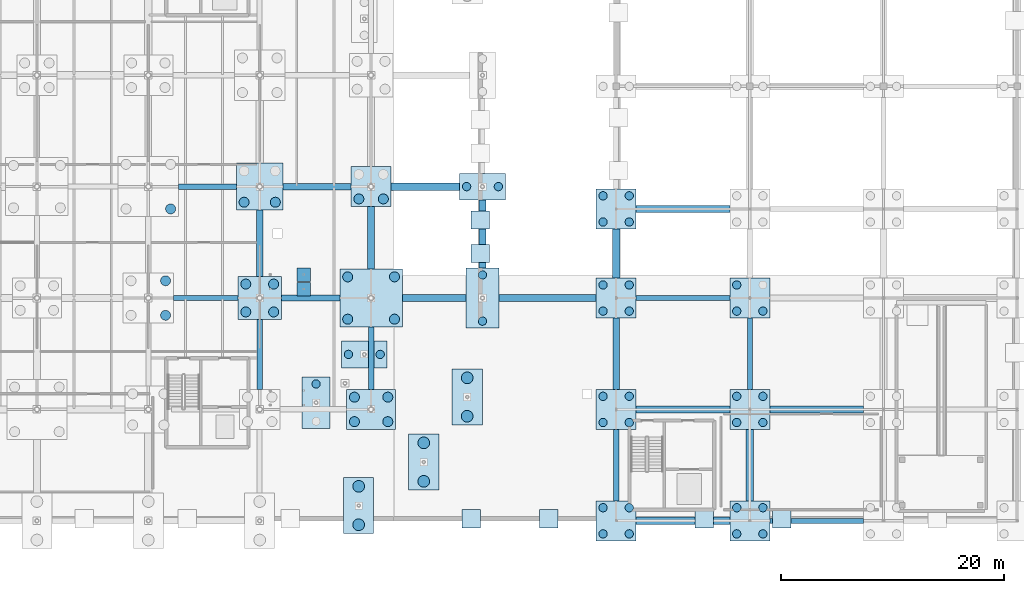
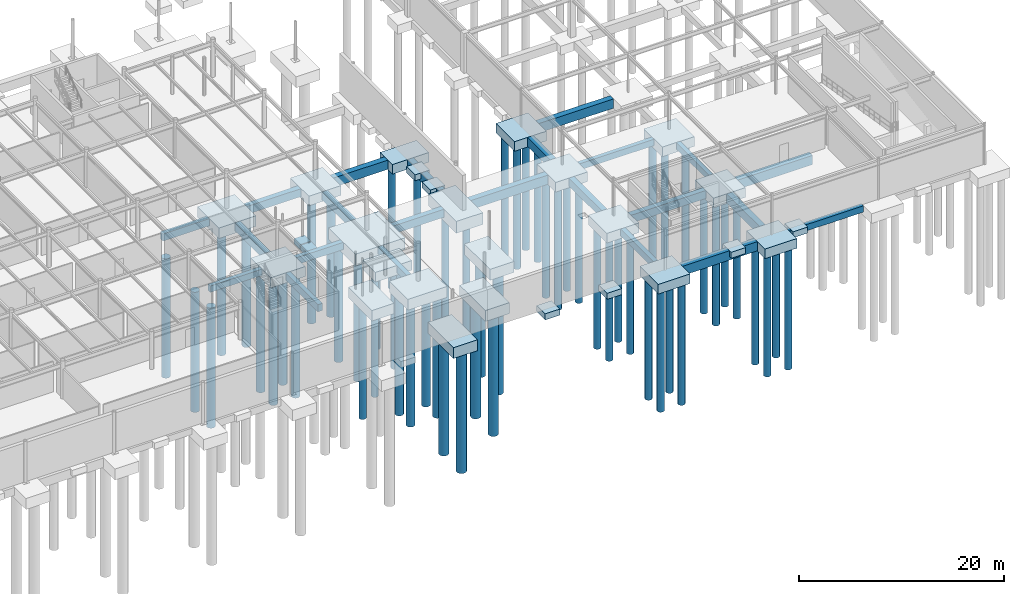
# One storey, part 8 of 75: 59 piles, 50 footings.
"""IFC4 building model written with IfcOpenShell, lengths in metres."""

from ifc_helpers import new_model, si_unit, derived_unit, direction, frame, origin, origin_2d_with_axis, place, context, subcontext, project, spatial, rectangle, circle, extrude, material, layer, layer_set, material_profile, profile_set, type_object, element, save


model = new_model("IFC4")

# Units and contexts
model_context = context("Model", 3, precision=1e-05, world=origin(), true_north=direction((0.0, 1.0)))
body_context = subcontext(model_context, "Body", "Model", "MODEL_VIEW")
ifc_project = project(units=[si_unit("LENGTHUNIT", "METRE"), si_unit("AREAUNIT", "SQUARE_METRE"), si_unit("VOLUMEUNIT", "CUBIC_METRE"), si_unit("PLANEANGLEUNIT", "RADIAN"), si_unit("MASSUNIT", "GRAM", prefix="KILO"), derived_unit("THERMALTRANSMITTANCEUNIT", [(si_unit("POWERUNIT", "WATT"), 1), (si_unit("LENGTHUNIT", "METRE"), -2), (si_unit("THERMODYNAMICTEMPERATUREUNIT", "KELVIN"), -1)])], contexts=[model_context])

# Site, building, storey
site_placement = place(None, origin())
site = spatial("IfcSite", under=ifc_project, at=site_placement, CompositionType="ELEMENT")
building_placement = place(site_placement, origin())
building = spatial("IfcBuilding", under=site, at=building_placement, Name="Cinnabar Yard Market Hall", CompositionType="ELEMENT")
storey_placement = place(building_placement, frame((0.0, 0.0, -4.5)))
storey = spatial("IfcBuildingStorey", under=building, at=storey_placement, Name="B1", CompositionType="ELEMENT", Elevation=-4.5)

# Footings
ifc_material = material(Name="Concrete 40 MPa", Category="concrete")
ifc_material_profile_1 = material_profile(ifc_material, rectangle(XDim=0.449951171875, YDim=0.75, at=origin_2d_with_axis()), Name="GB-450x750")
ifc_profile_set_1 = profile_set([ifc_material_profile_1], Name="Concrete 40 MPa")
footing_type_1 = type_object("IfcFootingType", Name="FT-GB01", PredefinedType="FOOTING_BEAM", material=ifc_profile_set_1)
footing_1_placement = place(storey_placement, frame((191.800048828125, 14.0, -0.824951171875), z_axis=(1.0, 0.0, 0.0), x_axis=(0.0, 1.0, 0.0)))
element("IfcFooting", 1, at=footing_1_placement, inside=storey, type_object=footing_type_1, Name="Ground Beam X 0008", PredefinedType="FOOTING_BEAM", context=body_context, shape_type="SweptSolid", body=[
    extrude(rectangle(XDim=0.449951171875, YDim=0.75, at=origin_2d_with_axis()), origin(), (0.0, 0.0, 1.0), 8.39990234375),
])
footing_2_placement = place(storey_placement, frame((138.25, 34.0, -0.824951171875), z_axis=(1.0, 0.0, 0.0), x_axis=(0.0, 1.0, 0.0)))
element("IfcFooting", 2, at=footing_2_placement, inside=storey, type_object=footing_type_1, Name="Ground Beam X 0028", PredefinedType="FOOTING_BEAM", context=body_context, shape_type="SweptSolid", body=[
    extrude(rectangle(XDim=0.449951171875, YDim=0.75, at=origin_2d_with_axis()), origin(), (0.0, 0.0, 1.0), 5.800048828125),
])
footing_3_placement = place(storey_placement, frame((179.800048828125, 34.0, -0.824951171875), z_axis=(1.0, 0.0, 0.0), x_axis=(0.0, 1.0, 0.0)))
element("IfcFooting", 3, at=footing_3_placement, inside=storey, type_object=footing_type_1, Name="Ground Beam X 0032", PredefinedType="FOOTING_BEAM", context=body_context, shape_type="SweptSolid", body=[
    extrude(rectangle(XDim=0.449951171875, YDim=0.75, at=origin_2d_with_axis()), origin(), (0.0, 0.0, 1.0), 8.39990234375),
])
footing_4_placement = place(storey_placement, frame((190.0, 25.800048828125, -0.824951171875), z_axis=(0.0, 1.0, 0.0), x_axis=(-1.0, 0.0, 0.0)))
element("IfcFooting", 4, at=footing_4_placement, inside=storey, type_object=footing_type_1, Name="Ground Beam Y 0272", PredefinedType="FOOTING_BEAM", context=body_context, shape_type="SweptSolid", body=[
    extrude(rectangle(XDim=0.449951171875, YDim=0.75, at=origin_2d_with_axis()), origin(), (0.0, 0.0, 1.0), 6.39990234375),
])
ifc_material_profile_2 = material_profile(ifc_material, rectangle(XDim=0.5, YDim=0.85009765625, at=origin_2d_with_axis()), Name="GB-500x850")
ifc_profile_set_2 = profile_set([ifc_material_profile_2], Name="Concrete 40 MPa")
footing_type_2 = type_object("IfcFootingType", Name="FT-GB02", PredefinedType="FOOTING_BEAM", material=ifc_profile_set_2)
footing_5_placement = place(storey_placement, frame((147.949951171875, 34.0, -0.875), z_axis=(1.0, 0.0, 0.0), x_axis=(0.0, 1.0, 0.0)))
element("IfcFooting", 5, at=footing_5_placement, inside=storey, type_object=footing_type_2, Name="Ground Beam X 0029", PredefinedType="FOOTING_BEAM", context=body_context, shape_type="SweptSolid", body=[
    extrude(rectangle(XDim=0.5, YDim=0.85009765625, at=origin_2d_with_axis()), origin(), (0.0, 0.0, 1.0), 5.25),
])
footing_6_placement = place(storey_placement, frame((138.699951171875, 44.0, -0.875), z_axis=(1.0, 0.0, 0.0), x_axis=(0.0, 1.0, 0.0)))
element("IfcFooting", 6, at=footing_6_placement, inside=storey, type_object=footing_type_2, Name="Ground Beam X 0045", PredefinedType="FOOTING_BEAM", context=body_context, shape_type="SweptSolid", body=[
    extrude(rectangle(XDim=0.5, YDim=0.85009765625, at=origin_2d_with_axis()), origin(), (0.0, 0.0, 1.0), 5.199951171875),
])
footing_7_placement = place(storey_placement, frame((146.0, 25.800048828125, -0.875), z_axis=(0.0, 1.0, 0.0), x_axis=(-1.0, 0.0, 0.0)))
element("IfcFooting", 7, at=footing_7_placement, inside=storey, type_object=footing_type_2, Name="Ground Beam Y 0245", PredefinedType="FOOTING_BEAM", context=body_context, shape_type="SweptSolid", body=[
    extrude(rectangle(XDim=0.5, YDim=0.85009765625, at=origin_2d_with_axis()), origin(), (0.0, 0.0, 1.0), 6.25),
])
footing_8_placement = place(storey_placement, frame((156.0, 25.800048828125, -0.875), z_axis=(0.0, 1.0, 0.0), x_axis=(-1.0, 0.0, 0.0)))
element("IfcFooting", 8, at=footing_8_placement, inside=storey, type_object=footing_type_2, Name="Ground Beam Y 0253", PredefinedType="FOOTING_BEAM", context=body_context, shape_type="SweptSolid", body=[
    extrude(rectangle(XDim=0.5, YDim=0.85009765625, at=origin_2d_with_axis()), origin(), (0.0, 0.0, 1.0), 5.599853515625),
])
footing_9_placement = place(storey_placement, frame((178.0, 15.800048828125, -0.875), z_axis=(0.0, 1.0, 0.0), x_axis=(-1.0, 0.0, 0.0)))
element("IfcFooting", 9, at=footing_9_placement, inside=storey, type_object=footing_type_2, Name="Ground Beam Y 0265", PredefinedType="FOOTING_BEAM", context=body_context, shape_type="SweptSolid", body=[
    extrude(rectangle(XDim=0.5, YDim=0.85009765625, at=origin_2d_with_axis()), origin(), (0.0, 0.0, 1.0), 6.39990234375),
])
ifc_material_profile_3 = material_profile(ifc_material, rectangle(XDim=0.60009765625, YDim=0.949951171875, at=origin_2d_with_axis()), Name="GB-600x950")
ifc_profile_set_3 = profile_set([ifc_material_profile_3], Name="Concrete 40 MPa")
footing_type_3 = type_object("IfcFootingType", Name="FT-GB03", PredefinedType="FOOTING_BEAM", material=ifc_profile_set_3)
footing_10_placement = place(storey_placement, frame((179.800048828125, 24.0, -0.925048828125), z_axis=(1.0, 0.0, 0.0), x_axis=(0.0, 1.0, 0.0)))
element("IfcFooting", 10, at=footing_10_placement, inside=storey, type_object=footing_type_3, Name="Ground Beam X 0018", PredefinedType="FOOTING_BEAM", context=body_context, shape_type="SweptSolid", body=[
    extrude(rectangle(XDim=0.60009765625, YDim=0.949951171875, at=origin_2d_with_axis()), origin(), (0.0, 0.0, 1.0), 8.39990234375),
])
footing_11_placement = place(storey_placement, frame((158.800048828125, 34.0, -0.925048828125), z_axis=(1.0, 0.0, 0.0), x_axis=(0.0, 1.0, 0.0)))
element("IfcFooting", 11, at=footing_11_placement, inside=storey, type_object=footing_type_3, Name="Ground Beam X 0030", PredefinedType="FOOTING_BEAM", context=body_context, shape_type="SweptSolid", body=[
    extrude(rectangle(XDim=0.60009765625, YDim=0.949951171875, at=origin_2d_with_axis()), origin(), (0.0, 0.0, 1.0), 5.699951171875),
])
footing_12_placement = place(storey_placement, frame((148.10009765625, 44.0, -0.925048828125), z_axis=(1.0, 0.0, 0.0), x_axis=(0.0, 1.0, 0.0)))
element("IfcFooting", 12, at=footing_12_placement, inside=storey, type_object=footing_type_3, Name="Ground Beam X 0046", PredefinedType="FOOTING_BEAM", context=body_context, shape_type="SweptSolid", body=[
    extrude(rectangle(XDim=0.60009765625, YDim=0.949951171875, at=origin_2d_with_axis()), origin(), (0.0, 0.0, 1.0), 6.099853515625),
])
footing_13_placement = place(storey_placement, frame((146.0, 35.949951171875, -0.925048828125), z_axis=(0.0, 1.0, 0.0), x_axis=(-1.0, 0.0, 0.0)))
element("IfcFooting", 13, at=footing_13_placement, inside=storey, type_object=footing_type_3, Name="Ground Beam Y 0246", PredefinedType="FOOTING_BEAM", context=body_context, shape_type="SweptSolid", body=[
    extrude(rectangle(XDim=0.60009765625, YDim=0.949951171875, at=origin_2d_with_axis()), origin(), (0.0, 0.0, 1.0), 5.949951171875),
])
footing_14_placement = place(storey_placement, frame((156.0, 36.60009765625, -0.925048828125), z_axis=(0.0, 1.0, 0.0), x_axis=(-1.0, 0.0, 0.0)))
element("IfcFooting", 14, at=footing_14_placement, inside=storey, type_object=footing_type_3, Name="Ground Beam Y 0254", PredefinedType="FOOTING_BEAM", context=body_context, shape_type="SweptSolid", body=[
    extrude(rectangle(XDim=0.60009765625, YDim=0.949951171875, at=origin_2d_with_axis()), origin(), (0.0, 0.0, 1.0), 5.599853515625),
])
footing_15_placement = place(storey_placement, frame((178.0, 25.800048828125, -0.925048828125), z_axis=(0.0, 1.0, 0.0), x_axis=(-1.0, 0.0, 0.0)))
element("IfcFooting", 15, at=footing_15_placement, inside=storey, type_object=footing_type_3, Name="Ground Beam Y 0266", PredefinedType="FOOTING_BEAM", context=body_context, shape_type="SweptSolid", body=[
    extrude(rectangle(XDim=0.60009765625, YDim=0.949951171875, at=origin_2d_with_axis()), origin(), (0.0, 0.0, 1.0), 6.39990234375),
])
ifc_material_profile_4 = material_profile(ifc_material, rectangle(XDim=0.64990234375, YDim=1.10009765625, at=origin_2d_with_axis()), Name="GB-650x1100")
ifc_profile_set_4 = profile_set([ifc_material_profile_4], Name="Concrete 40 MPa")
footing_type_4 = type_object("IfcFootingType", Name="FT-GB04", PredefinedType="FOOTING_BEAM", material=ifc_profile_set_4)
for number, where, z_axis, x_axis, name in (
    (16, (179.800048828125, 14.0, -1.0), (1.0, 0.0, 0.0), (0.0, 1.0, 0.0), "Ground Beam X 0007"),
    (17, (191.800048828125, 24.0, -1.0), (1.0, 0.0, 0.0), (0.0, 1.0, 0.0), "Ground Beam X 0019"),
):
    element("IfcFooting", number, at=place(storey_placement, frame(where, z_axis=z_axis, x_axis=x_axis)), inside=storey, type_object=footing_type_4, Name=name, PredefinedType="FOOTING_BEAM", context=body_context, shape_type="SweptSolid", body=[
        extrude(rectangle(XDim=0.64990234375, YDim=1.10009765625, at=origin_2d_with_axis()), origin(), (0.0, 0.0, 1.0), 8.39990234375),
    ])
footing_16_placement = place(storey_placement, frame((167.5, 34.0, -1.0), z_axis=(1.0, 0.0, 0.0), x_axis=(0.0, 1.0, 0.0)))
element("IfcFooting", 18, at=footing_16_placement, inside=storey, type_object=footing_type_4, Name="Ground Beam X 0031", PredefinedType="FOOTING_BEAM", context=body_context, shape_type="SweptSolid", body=[
    extrude(rectangle(XDim=0.64990234375, YDim=1.10009765625, at=origin_2d_with_axis()), origin(), (0.0, 0.0, 1.0), 8.699951171875),
])
footing_17_placement = place(storey_placement, frame((179.800048828125, 42.0, -1.0), z_axis=(1.0, 0.0, 0.0), x_axis=(0.0, 1.0, 0.0)))
element("IfcFooting", 19, at=footing_17_placement, inside=storey, type_object=footing_type_4, Name="Ground Beam X 0035", PredefinedType="FOOTING_BEAM", context=body_context, shape_type="SweptSolid", body=[
    extrude(rectangle(XDim=0.64990234375, YDim=1.10009765625, at=origin_2d_with_axis()), origin(), (0.0, 0.0, 1.0), 8.39990234375),
])
footing_18_placement = place(storey_placement, frame((157.800048828125, 44.0, -1.0), z_axis=(1.0, 0.0, 0.0), x_axis=(0.0, 1.0, 0.0)))
element("IfcFooting", 20, at=footing_18_placement, inside=storey, type_object=footing_type_4, Name="Ground Beam X 0047", PredefinedType="FOOTING_BEAM", context=body_context, shape_type="SweptSolid", body=[
    extrude(rectangle(XDim=0.64990234375, YDim=1.10009765625, at=origin_2d_with_axis()), origin(), (0.0, 0.0, 1.0), 6.14990234375),
])
footing_19_placement = place(storey_placement, frame((166.0, 36.699951171875, -1.0), z_axis=(0.0, 1.0, 0.0), x_axis=(-1.0, 0.0, 0.0)))
element("IfcFooting", 21, at=footing_19_placement, inside=storey, type_object=footing_type_4, Name="Ground Beam Y 0263", PredefinedType="FOOTING_BEAM", context=body_context, shape_type="SweptSolid", body=[
    extrude(rectangle(XDim=0.64990234375, YDim=1.10009765625, at=origin_2d_with_axis()), origin(), (0.0, 0.0, 1.0), 6.10009765625),
])
footing_20_placement = place(storey_placement, frame((178.0, 35.800048828125, -1.0), z_axis=(0.0, 1.0, 0.0), x_axis=(-1.0, 0.0, 0.0)))
element("IfcFooting", 22, at=footing_20_placement, inside=storey, type_object=footing_type_4, Name="Ground Beam Y 0267", PredefinedType="FOOTING_BEAM", context=body_context, shape_type="SweptSolid", body=[
    extrude(rectangle(XDim=0.64990234375, YDim=1.10009765625, at=origin_2d_with_axis()), origin(), (0.0, 0.0, 1.0), 4.39990234375),
])
footing_21_placement = place(storey_placement, frame((190.0, 15.800048828125, -1.0), z_axis=(0.0, 1.0, 0.0), x_axis=(-1.0, 0.0, 0.0)))
element("IfcFooting", 23, at=footing_21_placement, inside=storey, type_object=footing_type_4, Name="Ground Beam Y 0271", PredefinedType="FOOTING_BEAM", context=body_context, shape_type="SweptSolid", body=[
    extrude(rectangle(XDim=0.64990234375, YDim=1.10009765625, at=origin_2d_with_axis()), origin(), (0.0, 0.0, 1.0), 6.39990234375),
])
ifc_layer_1 = layer(ifc_material, 1.14990234375)
ifc_layer_set_1 = layer_set([ifc_layer_1], Name="Concrete 40 MPa")
footing_type_5 = type_object("IfcFootingType", Name="FT-PC03", PredefinedType="PILE_CAP", material=ifc_layer_set_1)
for number, where, z_axis, x_axis, name in (
    (24, (156.0, 44.0, -1.599853515625), (0.0, 0.0, 1.0), (1.0, 0.0, 0.0), "Pile Cap V1I-09-03"),
    (25, (178.0, 14.0, -1.599853515625), (0.0, 0.0, 1.0), (1.0, 0.0, 0.0), "Pile Cap V4-01-01"),
    (26, (178.0, 24.0, -1.599853515625), (0.0, 0.0, 1.0), (1.0, 0.0, 0.0), "Pile Cap V4-01-02"),
    (27, (178.0, 34.0, -1.599853515625), (0.0, 0.0, 1.0), (1.0, 0.0, 0.0), "Pile Cap V4-01-03"),
    (28, (178.0, 42.0, -1.599853515625), (0.0, 0.0, 1.0), (1.0, 0.0, 0.0), "Pile Cap V4-01-04"),
    (29, (190.0, 14.0, -1.599853515625), (0.0, 0.0, 1.0), (1.0, 0.0, 0.0), "Pile Cap V4-02-01"),
    (30, (190.0, 24.0, -1.599853515625), (0.0, 0.0, 1.0), (1.0, 0.0, 0.0), "Pile Cap V4-02-02"),
    (31, (190.0, 34.0, -1.599853515625), (0.0, 0.0, 1.0), (1.0, 0.0, 0.0), "Pile Cap V4-02-03"),
):
    element("IfcFooting", number, at=place(storey_placement, frame(where, z_axis=z_axis, x_axis=x_axis)), inside=storey, type_object=footing_type_5, Name=name, PredefinedType="PILE_CAP", context=body_context, shape_type="SweptSolid", body=[
        extrude(rectangle(XDim=3.60009765625, YDim=3.60009765625, at=origin_2d_with_axis()), origin(), (0.0, 0.0, 1.0), 1.14990234375),
    ])
ifc_layer_2 = layer(ifc_material, 1.199951171875)
ifc_layer_set_2 = layer_set([ifc_layer_2], Name="Concrete 40 MPa")
footing_type_6 = type_object("IfcFootingType", Name="FT-PC04", PredefinedType="PILE_CAP", material=ifc_layer_set_2)
footing_22_placement = place(storey_placement, frame((146.0, 34.0, -1.64990234375), z_axis=(0.0, 0.0, 1.0), x_axis=(1.0, 0.0, 0.0)))
element("IfcFooting", 32, at=footing_22_placement, inside=storey, type_object=footing_type_6, Name="Pile Cap V1I-08-02", PredefinedType="PILE_CAP", context=body_context, shape_type="SweptSolid", body=[
    extrude(rectangle(XDim=3.89990234375, YDim=3.89990234375, at=origin_2d_with_axis()), origin(), (0.0, 0.0, 1.0), 1.199951171875),
])
ifc_layer_3 = layer(ifc_material, 1.25)
ifc_layer_set_3 = layer_set([ifc_layer_3], Name="Concrete 40 MPa")
footing_type_7 = type_object("IfcFootingType", Name="FT-PC05", PredefinedType="PILE_CAP", material=ifc_layer_set_3)
footing_23_placement = place(storey_placement, frame((146.0, 44.0, -1.699951171875), z_axis=(0.0, 0.0, 1.0), x_axis=(1.0, 0.0, 0.0)))
element("IfcFooting", 33, at=footing_23_placement, inside=storey, type_object=footing_type_7, Name="Pile Cap V1I-08-03", PredefinedType="PILE_CAP", context=body_context, shape_type="SweptSolid", body=[
    extrude(rectangle(XDim=4.199951171875, YDim=4.199951171875, at=origin_2d_with_axis()), origin(), (0.0, 0.0, 1.0), 1.25),
])
ifc_layer_4 = layer(ifc_material, 1.25)
ifc_layer_set_4 = layer_set([ifc_layer_4], Name="Concrete 40 MPa")
footing_type_8 = type_object("IfcFootingType", Name="FT-PC09", PredefinedType="PILE_CAP", material=ifc_layer_set_4)
footing_24_placement = place(storey_placement, frame((151.0615234375, 24.60888671875, -1.699951171875), z_axis=(0.0, 0.0, 1.0), x_axis=(1.0, 0.0, 0.0)))
element("IfcFooting", 34, at=footing_24_placement, inside=storey, type_object=footing_type_8, Name="Pile Cap V1IC-SE2", PredefinedType="PILE_CAP", context=body_context, shape_type="SweptSolid", body=[
    extrude(rectangle(XDim=2.5, YDim=4.60009765625, at=origin_2d_with_axis()), origin(), (0.0, 0.0, 1.0), 1.25),
])
ifc_layer_5 = layer(ifc_material, 1.300048828125)
ifc_layer_set_5 = layer_set([ifc_layer_5], Name="Concrete 40 MPa")
footing_type_9 = type_object("IfcFootingType", Name="FT-PC10", PredefinedType="PILE_CAP", material=ifc_layer_set_5)
for number, where, z_axis, x_axis, name in (
    (35, (154.88818359375, 15.3701171875, -1.75), (0.0, 0.0, 1.0), (1.0, 0.0, 0.0), "Pile Cap V1C-SE2"),
    (36, (160.727783203125, 19.272216796875, -1.75), (0.0, 0.0, 1.0), (1.0, 0.0, 0.0), "Pile Cap V1C-SE4"),
    (37, (164.6298828125, 25.11181640625, -1.75), (0.0, 0.0, 1.0), (1.0, 0.0, 0.0), "Pile Cap V1C-SE6"),
):
    element("IfcFooting", number, at=place(storey_placement, frame(where, z_axis=z_axis, x_axis=x_axis)), inside=storey, type_object=footing_type_9, Name=name, PredefinedType="PILE_CAP", context=body_context, shape_type="SweptSolid", body=[
        extrude(rectangle(XDim=2.699951171875, YDim=5.0, at=origin_2d_with_axis()), origin(), (0.0, 0.0, 1.0), 1.300048828125),
    ])
ifc_layer_6 = layer(ifc_material, 1.39990234375)
ifc_layer_set_6 = layer_set([ifc_layer_6], Name="Concrete 40 MPa")
footing_type_10 = type_object("IfcFootingType", Name="FT-PC11", PredefinedType="PILE_CAP", material=ifc_layer_set_6)
footing_25_placement = place(storey_placement, frame((166.0, 34.0, -1.849853515625), z_axis=(0.0, 0.0, 1.0), x_axis=(1.0, 0.0, 0.0)))
element("IfcFooting", 38, at=footing_25_placement, inside=storey, type_object=footing_type_10, Name="Pile Cap V1E-01", PredefinedType="PILE_CAP", context=body_context, shape_type="SweptSolid", body=[
    extrude(rectangle(XDim=3.0, YDim=5.39990234375, at=origin_2d_with_axis()), origin(), (0.0, 0.0, 1.0), 1.39990234375),
])
ifc_layer_7 = layer(ifc_material, 1.14990234375)
ifc_layer_set_7 = layer_set([ifc_layer_7], Name="Concrete 40 MPa")
footing_type_11 = type_object("IfcFootingType", Name="FT-PC14", PredefinedType="PILE_CAP", material=ifc_layer_set_7)
for number, where, z_axis, x_axis, name in (
    (39, (166.0, 44.0, -1.599853515625), (0.0, 0.0, 1.0), (1.0, 0.0, 0.0), "Pile Cap V1E-02"),
    (40, (155.39111328125, 28.9384765625, -1.599853515625), (0.0, 0.0, 1.0), (1.0, 0.0, 0.0), "Pile Cap V1IC-SE6"),
):
    element("IfcFooting", number, at=place(storey_placement, frame(where, z_axis=z_axis, x_axis=x_axis)), inside=storey, type_object=footing_type_11, Name=name, PredefinedType="PILE_CAP", context=body_context, shape_type="SweptSolid", body=[
        extrude(rectangle(XDim=4.10009765625, YDim=2.39990234375, at=origin_2d_with_axis()), origin(), (0.0, 0.0, 1.0), 1.14990234375),
    ])
ifc_layer_8 = layer(ifc_material, 1.300048828125)
ifc_layer_set_8 = layer_set([ifc_layer_8], Name="Concrete 40 MPa")
footing_type_12 = type_object("IfcFootingType", Name="FT-PC15", PredefinedType="PILE_CAP", material=ifc_layer_set_8)
footing_26_placement = place(storey_placement, frame((156.0, 24.0, -1.75), z_axis=(0.0, 0.0, 1.0), x_axis=(1.0, 0.0, 0.0)))
element("IfcFooting", 41, at=footing_26_placement, inside=storey, type_object=footing_type_12, Name="Pile Cap V1I-09-01", PredefinedType="PILE_CAP", context=body_context, shape_type="SweptSolid", body=[
    extrude(rectangle(XDim=4.39990234375, YDim=3.60009765625, at=origin_2d_with_axis()), origin(), (0.0, 0.0, 1.0), 1.300048828125),
])
ifc_layer_9 = layer(ifc_material, 1.39990234375)
ifc_layer_set_9 = layer_set([ifc_layer_9], Name="Concrete 40 MPa")
footing_type_13 = type_object("IfcFootingType", Name="FT-PC16", PredefinedType="PILE_CAP", material=ifc_layer_set_9)
footing_27_placement = place(storey_placement, frame((156.0, 34.0, -1.849853515625), z_axis=(0.0, 0.0, 1.0), x_axis=(1.0, 0.0, 0.0)))
element("IfcFooting", 42, at=footing_27_placement, inside=storey, type_object=footing_type_13, Name="Pile Cap V1I-09-02", PredefinedType="PILE_CAP", context=body_context, shape_type="SweptSolid", body=[
    extrude(rectangle(XDim=5.60009765625, YDim=5.199951171875, at=origin_2d_with_axis()), origin(), (0.0, 0.0, 1.0), 1.39990234375),
])
ifc_layer_10 = layer(ifc_material, 0.719970703125)
ifc_layer_set_10 = layer_set([ifc_layer_10], Name="Concrete 40 MPa")
footing_type_14 = type_object("IfcFootingType", Name="FT-PF02", PredefinedType="PAD_FOOTING", material=ifc_layer_set_10)
for number, where, z_axis, x_axis, name in (
    (43, (165.800048828125, 38.0, -1.169921875), (0.0, 0.0, 1.0), (1.0, 0.0, 0.0), "Wall Pad B1-RET-V1E-2"),
    (44, (165.800048828125, 41.0, -1.169921875), (0.0, 0.0, 1.0), (1.0, 0.0, 0.0), "Wall Pad B1-RET-V1E-3"),
    (45, (164.97509765625, 14.199951171875, -1.169921875), (0.0, 0.0, 1.0), (1.0, 0.0, 0.0), "Wall Pad B1-RET-V4S-1"),
    (46, (171.949951171875, 14.199951171875, -1.169921875), (0.0, 0.0, 1.0), (1.0, 0.0, 0.0), "Wall Pad B1-RET-V4S-2"),
    (47, (185.89990234375, 14.199951171875, -1.169921875), (0.0, 0.0, 1.0), (1.0, 0.0, 0.0), "Wall Pad B1-RET-V4S-4"),
    (48, (192.875, 14.199951171875, -1.169921875), (0.0, 0.0, 1.0), (1.0, 0.0, 0.0), "Wall Pad B1-RET-V4S-5"),
):
    element("IfcFooting", number, at=place(storey_placement, frame(where, z_axis=z_axis, x_axis=x_axis)), inside=storey, type_object=footing_type_14, Name=name, PredefinedType="PAD_FOOTING", context=body_context, shape_type="SweptSolid", body=[
        extrude(rectangle(XDim=1.64990234375, YDim=1.64990234375, at=origin_2d_with_axis()), origin(), (0.0, 0.0, 1.0), 0.719970703125),
    ])
ifc_layer_11 = layer(ifc_material, 0.60009765625)
ifc_layer_set_11 = layer_set([ifc_layer_11], Name="Concrete 40 MPa")
footing_type_15 = type_object("IfcFootingType", Name="FT-PF08", PredefinedType="PAD_FOOTING", material=ifc_layer_set_11)
for number, where, z_axis, x_axis, name in (
    (49, (149.949951171875, 34.800048828125, -1.050048828125), (0.0, 0.0, 1.0), (1.0, 0.0, 0.0), "Feature Stair Pad ST-F2-2"),
    (50, (149.949951171875, 36.10009765625, -1.050048828125), (0.0, 0.0, 1.0), (1.0, 0.0, 0.0), "Feature Stair Pad ST-F2-4"),
):
    element("IfcFooting", number, at=place(storey_placement, frame(where, z_axis=z_axis, x_axis=x_axis)), inside=storey, type_object=footing_type_15, Name=name, PredefinedType="PAD_FOOTING", context=body_context, shape_type="SweptSolid", body=[
        extrude(rectangle(XDim=1.199951171875, YDim=1.199951171875, at=origin_2d_with_axis()), origin(), (0.0, 0.0, 1.0), 0.60009765625),
    ])

# Piles
ifc_material_profile_5 = material_profile(ifc_material, circle(Radius=0.52490234375, at=origin_2d_with_axis()), Name="PILE-D1050")
ifc_profile_set_5 = profile_set([ifc_material_profile_5], Name="Concrete 40 MPa")
pile_type_1 = type_object("IfcPileType", Name="PILE-PL1050", PredefinedType="BORED", material=ifc_profile_set_5)
for number, where, z_axis, x_axis, name in (
    (51, (154.88818359375, 13.645263671875, -1.64990234375), (0.0, 0.0, -1.0), (1.0, 0.0, 0.0), "Bored Pile 0231"),
    (52, (154.88818359375, 17.09521484375, -1.64990234375), (0.0, 0.0, -1.0), (1.0, 0.0, 0.0), "Bored Pile 0232"),
    (53, (160.727783203125, 17.547119140625, -1.64990234375), (0.0, 0.0, -1.0), (1.0, 0.0, 0.0), "Bored Pile 0235"),
    (54, (160.727783203125, 20.9970703125, -1.64990234375), (0.0, 0.0, -1.0), (1.0, 0.0, 0.0), "Bored Pile 0236"),
    (55, (164.6298828125, 23.38671875, -1.64990234375), (0.0, 0.0, -1.0), (1.0, 0.0, 0.0), "Bored Pile 0237"),
    (56, (164.6298828125, 26.836669921875, -1.64990234375), (0.0, 0.0, -1.0), (1.0, 0.0, 0.0), "Bored Pile 0238"),
):
    element("IfcPile", number, at=place(storey_placement, frame(where, z_axis=z_axis, x_axis=x_axis)), inside=storey, type_object=pile_type_1, Name=name, PredefinedType="BORED", context=body_context, shape_type="SweptSolid", body=[
        extrude(circle(Radius=0.52490234375, at=origin_2d_with_axis()), origin(), (0.0, 0.0, 1.0), 14.35009765625),
    ])
ifc_material_profile_6 = material_profile(ifc_material, circle(Radius=0.375, at=origin_2d_with_axis()), Name="PILE-D750")
ifc_profile_set_6 = profile_set([ifc_material_profile_6], Name="Concrete 40 MPa")
pile_type_2 = type_object("IfcPileType", Name="PILE-PL750", PredefinedType="BORED", material=ifc_profile_set_6)
for number, where, z_axis, x_axis, name in (
    (57, (166.0, 31.925048828125, -1.75), (0.0, 0.0, -1.0), (1.0, 0.0, 0.0), "Bored Pile 0211"),
    (58, (166.0, 36.074951171875, -1.75), (0.0, 0.0, -1.0), (1.0, 0.0, 0.0), "Bored Pile 0212"),
):
    element("IfcPile", number, at=place(storey_placement, frame(where, z_axis=z_axis, x_axis=x_axis)), inside=storey, type_object=pile_type_2, Name=name, PredefinedType="BORED", context=body_context, shape_type="SweptSolid", body=[
        extrude(circle(Radius=0.375, at=origin_2d_with_axis()), origin(), (0.0, 0.0, 1.0), 14.25),
    ])
for number, where, z_axis, x_axis, name in (
    (59, (164.574951171875, 44.0, -1.5), (0.0, 0.0, -1.0), (1.0, 0.0, 0.0), "Bored Pile 0215"),
    (60, (167.425048828125, 44.0, -1.5), (0.0, 0.0, -1.0), (1.0, 0.0, 0.0), "Bored Pile 0216"),
):
    element("IfcPile", number, at=place(storey_placement, frame(where, z_axis=z_axis, x_axis=x_axis)), inside=storey, type_object=pile_type_2, Name=name, PredefinedType="BORED", context=body_context, shape_type="SweptSolid", body=[
        extrude(circle(Radius=0.375, at=origin_2d_with_axis()), origin(), (0.0, 0.0, 1.0), 14.5),
    ])
pile_1_placement = place(storey_placement, frame((151.0615234375, 26.283935546875, -1.60009765625), z_axis=(0.0, 0.0, -1.0), x_axis=(1.0, 0.0, 0.0)))
element("IfcPile", 61, at=pile_1_placement, inside=storey, type_object=pile_type_2, Name="Bored Pile 0234", PredefinedType="BORED", context=body_context, shape_type="SweptSolid", body=[
    extrude(circle(Radius=0.375, at=origin_2d_with_axis()), origin(), (0.0, 0.0, 1.0), 14.39990234375),
])
for number, where, z_axis, x_axis, name in (
    (62, (153.966064453125, 28.9384765625, -1.5), (0.0, 0.0, -1.0), (1.0, 0.0, 0.0), "Bored Pile 0239"),
    (63, (156.81591796875, 28.9384765625, -1.5), (0.0, 0.0, -1.0), (1.0, 0.0, 0.0), "Bored Pile 0240"),
    (64, (176.824951171875, 12.824951171875, -1.5), (0.0, 0.0, -1.0), (1.0, 0.0, 0.0), "Bored Pile 0505"),
    (65, (179.175048828125, 12.824951171875, -1.5), (0.0, 0.0, -1.0), (1.0, 0.0, 0.0), "Bored Pile 0506"),
    (66, (176.824951171875, 15.175048828125, -1.5), (0.0, 0.0, -1.0), (1.0, 0.0, 0.0), "Bored Pile 0507"),
    (67, (179.175048828125, 15.175048828125, -1.5), (0.0, 0.0, -1.0), (1.0, 0.0, 0.0), "Bored Pile 0508"),
    (68, (176.824951171875, 22.824951171875, -1.5), (0.0, 0.0, -1.0), (1.0, 0.0, 0.0), "Bored Pile 0509"),
    (69, (179.175048828125, 22.824951171875, -1.5), (0.0, 0.0, -1.0), (1.0, 0.0, 0.0), "Bored Pile 0510"),
    (70, (176.824951171875, 25.175048828125, -1.5), (0.0, 0.0, -1.0), (1.0, 0.0, 0.0), "Bored Pile 0511"),
    (71, (179.175048828125, 25.175048828125, -1.5), (0.0, 0.0, -1.0), (1.0, 0.0, 0.0), "Bored Pile 0512"),
    (72, (176.824951171875, 32.824951171875, -1.5), (0.0, 0.0, -1.0), (1.0, 0.0, 0.0), "Bored Pile 0513"),
    (73, (179.175048828125, 32.824951171875, -1.5), (0.0, 0.0, -1.0), (1.0, 0.0, 0.0), "Bored Pile 0514"),
    (74, (176.824951171875, 35.175048828125, -1.5), (0.0, 0.0, -1.0), (1.0, 0.0, 0.0), "Bored Pile 0515"),
    (75, (179.175048828125, 35.175048828125, -1.5), (0.0, 0.0, -1.0), (1.0, 0.0, 0.0), "Bored Pile 0516"),
    (76, (176.824951171875, 40.824951171875, -1.5), (0.0, 0.0, -1.0), (1.0, 0.0, 0.0), "Bored Pile 0517"),
    (77, (179.175048828125, 40.824951171875, -1.5), (0.0, 0.0, -1.0), (1.0, 0.0, 0.0), "Bored Pile 0518"),
    (78, (176.824951171875, 43.175048828125, -1.5), (0.0, 0.0, -1.0), (1.0, 0.0, 0.0), "Bored Pile 0519"),
    (79, (179.175048828125, 43.175048828125, -1.5), (0.0, 0.0, -1.0), (1.0, 0.0, 0.0), "Bored Pile 0520"),
    (80, (188.824951171875, 12.824951171875, -1.5), (0.0, 0.0, -1.0), (1.0, 0.0, 0.0), "Bored Pile 0521"),
    (81, (191.175048828125, 12.824951171875, -1.5), (0.0, 0.0, -1.0), (1.0, 0.0, 0.0), "Bored Pile 0522"),
    (82, (188.824951171875, 15.175048828125, -1.5), (0.0, 0.0, -1.0), (1.0, 0.0, 0.0), "Bored Pile 0523"),
    (83, (191.175048828125, 15.175048828125, -1.5), (0.0, 0.0, -1.0), (1.0, 0.0, 0.0), "Bored Pile 0524"),
    (84, (188.824951171875, 22.824951171875, -1.5), (0.0, 0.0, -1.0), (1.0, 0.0, 0.0), "Bored Pile 0525"),
    (85, (191.175048828125, 22.824951171875, -1.5), (0.0, 0.0, -1.0), (1.0, 0.0, 0.0), "Bored Pile 0526"),
    (86, (188.824951171875, 25.175048828125, -1.5), (0.0, 0.0, -1.0), (1.0, 0.0, 0.0), "Bored Pile 0527"),
    (87, (191.175048828125, 25.175048828125, -1.5), (0.0, 0.0, -1.0), (1.0, 0.0, 0.0), "Bored Pile 0528"),
    (88, (188.824951171875, 32.824951171875, -1.5), (0.0, 0.0, -1.0), (1.0, 0.0, 0.0), "Bored Pile 0529"),
    (89, (191.175048828125, 32.824951171875, -1.5), (0.0, 0.0, -1.0), (1.0, 0.0, 0.0), "Bored Pile 0530"),
    (90, (188.824951171875, 35.175048828125, -1.5), (0.0, 0.0, -1.0), (1.0, 0.0, 0.0), "Bored Pile 0531"),
):
    element("IfcPile", number, at=place(storey_placement, frame(where, z_axis=z_axis, x_axis=x_axis)), inside=storey, type_object=pile_type_2, Name=name, PredefinedType="BORED", context=body_context, shape_type="SweptSolid", body=[
        extrude(circle(Radius=0.375, at=origin_2d_with_axis()), origin(), (0.0, 0.0, 1.0), 14.5),
    ])
ifc_material_profile_7 = material_profile(ifc_material, circle(Radius=0.449951171875, at=origin_2d_with_axis()), Name="PILE-D900")
ifc_profile_set_7 = profile_set([ifc_material_profile_7], Name="Concrete 40 MPa")
pile_type_3 = type_object("IfcPileType", Name="PILE-PL900", PredefinedType="BORED", material=ifc_profile_set_7)
for number, where, z_axis, x_axis, name in (
    (91, (137.550048828125, 32.449951171875, -1.699951171875), (0.0, 0.0, -1.0), (1.0, 0.0, 0.0), "Bored Pile 0126"),
    (92, (137.550048828125, 35.550048828125, -1.699951171875), (0.0, 0.0, -1.0), (1.0, 0.0, 0.0), "Bored Pile 0128"),
):
    element("IfcPile", number, at=place(storey_placement, frame(where, z_axis=z_axis, x_axis=x_axis)), inside=storey, type_object=pile_type_3, Name=name, PredefinedType="BORED", context=body_context, shape_type="SweptSolid", body=[
        extrude(circle(Radius=0.449951171875, at=origin_2d_with_axis()), origin(), (0.0, 0.0, 1.0), 14.300048828125),
    ])
pile_2_placement = place(storey_placement, frame((138.0, 42.0, -1.800048828125), z_axis=(0.0, 0.0, -1.0), x_axis=(1.0, 0.0, 0.0)))
element("IfcPile", 93, at=pile_2_placement, inside=storey, type_object=pile_type_3, Name="Bored Pile 0130", PredefinedType="BORED", context=body_context, shape_type="SweptSolid", body=[
    extrude(circle(Radius=0.449951171875, at=origin_2d_with_axis()), origin(), (0.0, 0.0, 1.0), 14.199951171875),
])
for number, where, z_axis, x_axis, name in (
    (94, (144.75, 32.75, -1.550048828125), (0.0, 0.0, -1.0), (1.0, 0.0, 0.0), "Bored Pile 0145"),
    (95, (147.25, 32.75, -1.550048828125), (0.0, 0.0, -1.0), (1.0, 0.0, 0.0), "Bored Pile 0146"),
    (96, (144.75, 35.25, -1.550048828125), (0.0, 0.0, -1.0), (1.0, 0.0, 0.0), "Bored Pile 0147"),
    (97, (147.25, 35.25, -1.550048828125), (0.0, 0.0, -1.0), (1.0, 0.0, 0.0), "Bored Pile 0148"),
):
    element("IfcPile", number, at=place(storey_placement, frame(where, z_axis=z_axis, x_axis=x_axis)), inside=storey, type_object=pile_type_3, Name=name, PredefinedType="BORED", context=body_context, shape_type="SweptSolid", body=[
        extrude(circle(Radius=0.449951171875, at=origin_2d_with_axis()), origin(), (0.0, 0.0, 1.0), 14.449951171875),
    ])
for number, where, z_axis, x_axis, name in (
    (98, (144.60009765625, 42.60009765625, -1.60009765625), (0.0, 0.0, -1.0), (1.0, 0.0, 0.0), "Bored Pile 0149"),
    (99, (147.39990234375, 42.60009765625, -1.60009765625), (0.0, 0.0, -1.0), (1.0, 0.0, 0.0), "Bored Pile 0150"),
):
    element("IfcPile", number, at=place(storey_placement, frame(where, z_axis=z_axis, x_axis=x_axis)), inside=storey, type_object=pile_type_3, Name=name, PredefinedType="BORED", context=body_context, shape_type="SweptSolid", body=[
        extrude(circle(Radius=0.449951171875, at=origin_2d_with_axis()), origin(), (0.0, 0.0, 1.0), 14.39990234375),
    ])
for number, where, z_axis, x_axis, name in (
    (100, (154.5, 22.89990234375, -1.64990234375), (0.0, 0.0, -1.0), (1.0, 0.0, 0.0), "Bored Pile 0161"),
    (101, (157.5, 22.89990234375, -1.64990234375), (0.0, 0.0, -1.0), (1.0, 0.0, 0.0), "Bored Pile 0162"),
    (102, (154.5, 25.10009765625, -1.64990234375), (0.0, 0.0, -1.0), (1.0, 0.0, 0.0), "Bored Pile 0163"),
    (103, (157.5, 25.10009765625, -1.64990234375), (0.0, 0.0, -1.0), (1.0, 0.0, 0.0), "Bored Pile 0164"),
):
    element("IfcPile", number, at=place(storey_placement, frame(where, z_axis=z_axis, x_axis=x_axis)), inside=storey, type_object=pile_type_3, Name=name, PredefinedType="BORED", context=body_context, shape_type="SweptSolid", body=[
        extrude(circle(Radius=0.449951171875, at=origin_2d_with_axis()), origin(), (0.0, 0.0, 1.0), 14.35009765625),
    ])
for number, where, z_axis, x_axis, name in (
    (104, (153.89990234375, 32.10009765625, -1.75), (0.0, 0.0, -1.0), (1.0, 0.0, 0.0), "Bored Pile 0165"),
    (105, (158.10009765625, 32.10009765625, -1.75), (0.0, 0.0, -1.0), (1.0, 0.0, 0.0), "Bored Pile 0166"),
    (106, (153.89990234375, 35.89990234375, -1.75), (0.0, 0.0, -1.0), (1.0, 0.0, 0.0), "Bored Pile 0167"),
    (107, (158.10009765625, 35.89990234375, -1.75), (0.0, 0.0, -1.0), (1.0, 0.0, 0.0), "Bored Pile 0168"),
):
    element("IfcPile", number, at=place(storey_placement, frame(where, z_axis=z_axis, x_axis=x_axis)), inside=storey, type_object=pile_type_3, Name=name, PredefinedType="BORED", context=body_context, shape_type="SweptSolid", body=[
        extrude(circle(Radius=0.449951171875, at=origin_2d_with_axis()), origin(), (0.0, 0.0, 1.0), 14.25),
    ])
for number, where, z_axis, x_axis, name in (
    (108, (154.89990234375, 42.89990234375, -1.5), (0.0, 0.0, -1.0), (1.0, 0.0, 0.0), "Bored Pile 0169"),
    (109, (157.10009765625, 42.89990234375, -1.5), (0.0, 0.0, -1.0), (1.0, 0.0, 0.0), "Bored Pile 0170"),
):
    element("IfcPile", number, at=place(storey_placement, frame(where, z_axis=z_axis, x_axis=x_axis)), inside=storey, type_object=pile_type_3, Name=name, PredefinedType="BORED", context=body_context, shape_type="SweptSolid", body=[
        extrude(circle(Radius=0.449951171875, at=origin_2d_with_axis()), origin(), (0.0, 0.0, 1.0), 14.5),
    ])

save(model, "model.ifc")
